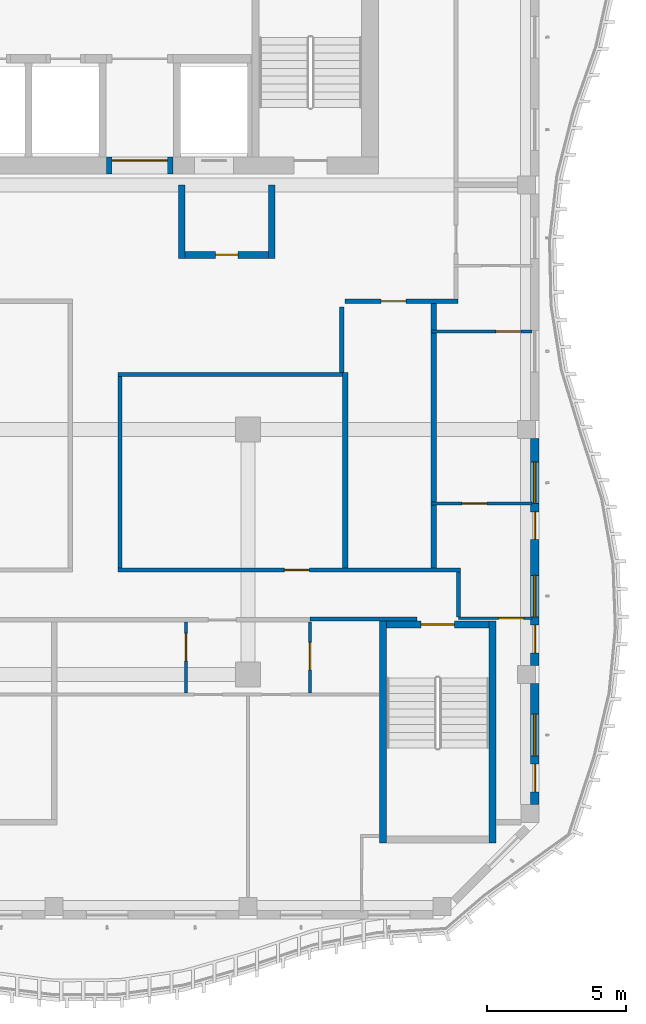
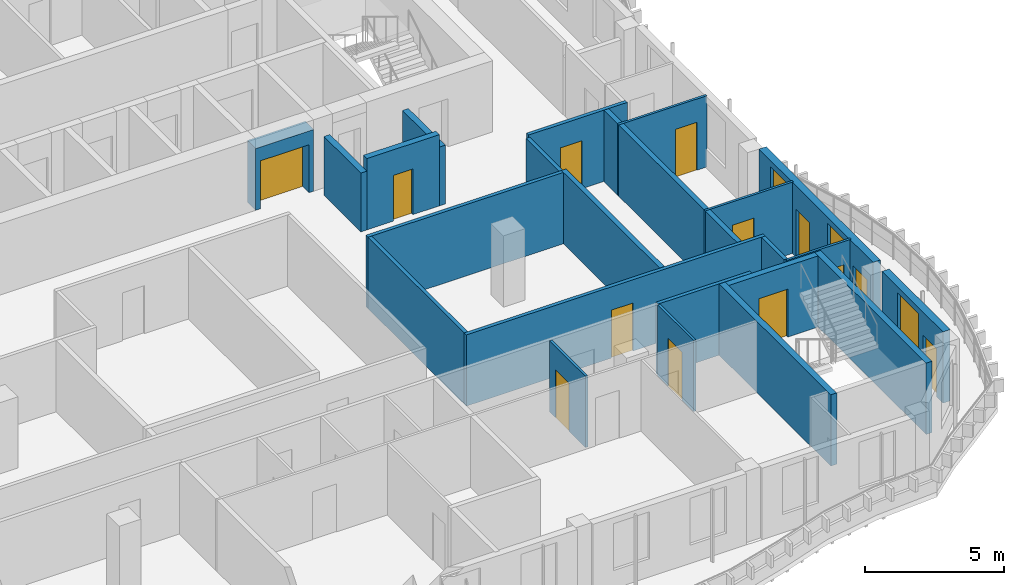
# One storey, part 5 of 17: 25 walls, 13 doors, 3 windows, 16 openings.
"""IFC4 building model written with IfcOpenShell, lengths in metres."""

from ifc_helpers import new_model, si_unit, direction, frame, frame_2d, origin, place, context, subcontext, project, spatial, rectangle, extrude, source, transform, mapped, material, layer, layer_set, type_object, element, fill, save


model = new_model("IFC4")

# Units and contexts
model_context = context("Model", 3, precision=1e-05, world=origin(), true_north=direction((0.0, 1.0)))
body_context = subcontext(model_context, "Body", "Model", "MODEL_VIEW")
ifc_project = project(units=[si_unit("LENGTHUNIT", "METRE"), si_unit("AREAUNIT", "SQUARE_METRE"), si_unit("VOLUMEUNIT", "CUBIC_METRE"), si_unit("PLANEANGLEUNIT", "RADIAN"), si_unit("MASSUNIT", "GRAM", prefix="KILO")], contexts=[model_context])

# Site, building, storey
site_placement = place(None, origin())
site = spatial("IfcSite", under=ifc_project, at=site_placement, CompositionType="ELEMENT")
building_placement = place(site_placement, origin())
building = spatial("IfcBuilding", under=site, at=building_placement, Name="Kilnfold Tower and Market Hall", CompositionType="ELEMENT")
storey_placement = place(building_placement, frame((0.0, 0.0, 273.800048828125)))
storey = spatial("IfcBuildingStorey", under=building, at=storey_placement, Name="L67", CompositionType="ELEMENT", Elevation=273.800048828125)

# Walls
ifc_material_1 = material(Name="Gypsum board on steel studs", Category="steel")
ifc_layer_1 = layer(ifc_material_1, 0.14990234375)
ifc_layer_set_1 = layer_set([ifc_layer_1], Name="Gypsum board on steel studs")
wall_type_1 = type_object("IfcWallType", Name="WALL CORRIDOR 150", PredefinedType="PARTITIONING", material=ifc_layer_set_1)
wall_1_placement = place(storey_placement, frame((15.22998046875, -7.669921875, 0.0), z_axis=(0.0, 0.0, 1.0), x_axis=(1.0, 0.0, 0.0)))
element("IfcWall", 1, at=wall_1_placement, inside=storey, type_object=wall_type_1, Name="Partition LY41.16", PredefinedType="PARTITIONING", context=body_context, shape_type="SweptSolid", body=[
    extrude(rectangle(XDim=3.8701171875, YDim=0.14990234375, at=frame_2d((1.93505859375, 0.0))), origin(), (0.0, 0.0, 1.0), 3.119873046875),
])
wall_2_placement = place(storey_placement, frame((20.60009765625, -7.60009765625, 0.0), z_axis=(0.0, 0.0, 1.0), x_axis=(0.0, 1.0, 0.0)))
element("IfcWall", 2, at=wall_2_placement, inside=storey, type_object=wall_type_1, Name="Partition LY41.17", PredefinedType="PARTITIONING", context=body_context, shape_type="SweptSolid", body=[
    extrude(rectangle(XDim=1.625, YDim=0.14990234375, at=frame_2d((0.8125, 0.0))), origin(), (0.0, 0.0, 1.0), 3.119873046875),
])
wall_3_placement = place(storey_placement, frame((16.3798828125, 1.22509765625, 0.0), z_axis=(0.0, 0.0, 1.0), x_axis=(0.0, 1.0, 0.0)))
element("IfcWall", 3, at=wall_3_placement, inside=storey, type_object=wall_type_1, Name="Partition LY41.32", PredefinedType="PARTITIONING", context=body_context, shape_type="SweptSolid", body=[
    extrude(rectangle(XDim=2.367919921875, YDim=0.14990234375, at=frame_2d((1.18408203125, 0.0))), origin(), (0.0, 0.0, 1.0), 3.119873046875),
])
wall_4_placement = place(storey_placement, frame((8.304931640625, 1.14990234375, 0.0), z_axis=(0.0, 0.0, 1.0), x_axis=(1.0, 0.0, 0.0)))
element("IfcWall", 4, at=wall_4_placement, inside=storey, type_object=wall_type_1, Name="Partition LY41.33", PredefinedType="PARTITIONING", context=body_context, shape_type="SweptSolid", body=[
    extrude(rectangle(XDim=8.094970703125, YDim=0.14990234375, at=frame_2d((4.04736328125, 0.0))), origin(), (0.0, 0.0, 1.0), 3.119873046875),
])
wall_5_placement = place(storey_placement, frame((8.3798828125, -5.824951171875, 0.0), z_axis=(0.0, 0.0, 1.0), x_axis=(0.0, 1.0, 0.0)))
element("IfcWall", 5, at=wall_5_placement, inside=storey, type_object=wall_type_1, Name="Partition LY41.34", PredefinedType="PARTITIONING", context=body_context, shape_type="SweptSolid", body=[
    extrude(rectangle(XDim=6.89990234375, YDim=0.14990234375, at=frame_2d((3.449951171875, 0.0))), origin(), (0.0, 0.0, 1.0), 3.119873046875),
])

# Wall, opening, door
wall_6_placement = place(storey_placement, frame((8.304931640625, -5.89990234375, 0.0), z_axis=(0.0, 0.0, 1.0), x_axis=(1.0, 0.0, 0.0)))
wall_6 = element("IfcWall", 6, at=wall_6_placement, inside=storey, type_object=wall_type_1, Name="Partition LY41.35", PredefinedType="PARTITIONING", context=body_context, shape_type="SweptSolid", body=[
    extrude(rectangle(XDim=12.3701171875, YDim=0.14990234375, at=frame_2d((6.18505859375, 0.0))), origin(), (0.0, 0.0, 1.0), 3.119873046875),
])
opening_1_placement = place(wall_6_placement, frame((6.00390625, 0.0, 0.0)))
opening_1 = element("IfcOpeningElement", 7, at=opening_1_placement, cuts=wall_6, Name="Opening D2", PredefinedType="OPENING", context=body_context, shape_type="SweptSolid", body=[
    extrude(rectangle(XDim=0.89990234375, YDim=2.10009765625, at=frame_2d((0.449951171875, 1.050048828125))), frame((0.0, 0.0849609375, 0.0), z_axis=(0.0, -1.0, 0.0), x_axis=(1.0, 0.0, 0.0)), (0.0, 0.0, 1.0), 0.169921875),
])
ifc_material_2 = material(Name="Timber veneer door leaf in steel frame", Category="steel")
door_type_1 = type_object("IfcDoorType", Name="DOOR ROOM 900 X2100", OperationType="NOTDEFINED", PredefinedType="DOOR", material=ifc_material_2)
door_1_placement = place(opening_1_placement, origin())
door_1 = element("IfcDoor", 8, at=door_1_placement, inside=storey, type_object=door_type_1, Name="Door D2", OperationType="SINGLE_SWING_RIGHT", OverallHeight=2.10009765625, OverallWidth=0.89990234375, PredefinedType="DOOR", context=body_context, shape_type="SweptSolid", body=[
    extrude(rectangle(XDim=0.89990234375, YDim=2.10009765625, at=frame_2d((0.449951171875, 1.050048828125))), frame((0.0, 0.02490234375, 0.0), z_axis=(0.0, -1.0, 0.0), x_axis=(1.0, 0.0, 0.0)), (0.0, 0.0, 1.0), 0.050048828125),
])
fill(opening_1, door_1)

wall_7_placement = place(storey_placement, frame((16.489990234375, 3.800048828125, 0.0), z_axis=(0.0, 0.0, 1.0), x_axis=(1.0, 0.0, 0.0)))
wall_7 = element("IfcWall", 9, at=wall_7_placement, inside=storey, type_object=wall_type_1, Name="Partition LY41.36", PredefinedType="PARTITIONING", context=body_context, shape_type="SweptSolid", body=[
    extrude(rectangle(XDim=4.0849609375, YDim=0.14990234375, at=frame_2d((2.04248046875, 0.0))), origin(), (0.0, 0.0, 1.0), 3.119873046875),
])
opening_2_placement = place(wall_7_placement, frame((1.31201171875, 0.0, 0.0)))
opening_2 = element("IfcOpeningElement", 10, at=opening_2_placement, cuts=wall_7, Name="Opening D2", PredefinedType="OPENING", context=body_context, shape_type="SweptSolid", body=[
    extrude(rectangle(XDim=0.89990234375, YDim=2.10009765625, at=frame_2d((0.449951171875, 1.050048828125))), frame((0.0, 0.0849609375, 0.0), z_axis=(0.0, -1.0, 0.0), x_axis=(1.0, 0.0, 0.0)), (0.0, 0.0, 1.0), 0.169921875),
])
door_2_placement = place(opening_2_placement, origin())
door_2 = element("IfcDoor", 11, at=door_2_placement, inside=storey, type_object=door_type_1, Name="Door D2", OperationType="SINGLE_SWING_RIGHT", OverallHeight=2.10009765625, OverallWidth=0.89990234375, PredefinedType="DOOR", context=body_context, shape_type="SweptSolid", body=[
    extrude(rectangle(XDim=0.89990234375, YDim=2.10009765625, at=frame_2d((0.449951171875, 1.050048828125))), frame((0.0, 0.02490234375, 0.0), z_axis=(0.0, -1.0, 0.0), x_axis=(1.0, 0.0, 0.0)), (0.0, 0.0, 1.0), 0.050048828125),
])
fill(opening_2, door_2)

ifc_material_3 = material(Name="Gypsum board on steel studs", Category="steel")
ifc_layer_2 = layer(ifc_material_3, 0.10009765625)
ifc_layer_set_2 = layer_set([ifc_layer_2], Name="Gypsum board on steel studs")
wall_type_2 = type_object("IfcWallType", Name="WALL PARTITION 100", PredefinedType="PARTITIONING", material=ifc_layer_set_2)
wall_8_placement = place(storey_placement, frame((10.760009765625, -10.35009765625, 0.0), z_axis=(0.0, 0.0, 1.0), x_axis=(0.0, 1.0, 0.0)))
wall_8 = element("IfcWall", 12, at=wall_8_placement, inside=storey, type_object=wall_type_2, Name="Partition LY41.66", PredefinedType="PARTITIONING", context=body_context, shape_type="SweptSolid", body=[
    extrude(rectangle(XDim=2.572998046875, YDim=0.10009765625, at=frame_2d((1.28662109375, 0.0))), origin(), (0.0, 0.0, 1.0), 3.119873046875),
])
opening_3_placement = place(wall_8_placement, frame((1.159912109375, 0.0, 0.0)))
opening_3 = element("IfcOpeningElement", 13, at=opening_3_placement, cuts=wall_8, Name="Opening D1", PredefinedType="OPENING", context=body_context, shape_type="SweptSolid", body=[
    extrude(rectangle(XDim=1.0, YDim=2.10009765625, at=frame_2d((0.5, 1.050048828125))), frame((0.0, 0.06005859375, 0.0), z_axis=(0.0, -1.0, 0.0), x_axis=(1.0, 0.0, 0.0)), (0.0, 0.0, 1.0), 0.1201171875),
])
ifc_material_4 = material(Name="Timber veneer door leaf in steel frame", Category="steel")
door_type_2 = type_object("IfcDoorType", Name="DOOR ENTRY 1000 X2100", OperationType="NOTDEFINED", PredefinedType="DOOR", material=ifc_material_4)
door_3_placement = place(opening_3_placement, origin())
door_3 = element("IfcDoor", 14, at=door_3_placement, inside=storey, type_object=door_type_2, Name="Door D1", OperationType="SINGLE_SWING_LEFT", OverallHeight=2.10009765625, OverallWidth=1.0, PredefinedType="DOOR", context=body_context, shape_type="SweptSolid", body=[
    extrude(rectangle(XDim=1.0, YDim=2.10009765625, at=frame_2d((0.5, 1.050048828125))), frame((0.0, 0.02490234375, 0.0), z_axis=(0.0, -1.0, 0.0), x_axis=(1.0, 0.0, 0.0)), (0.0, 0.0, 1.0), 0.050048828125),
])
fill(opening_3, door_3)

wall_9_placement = place(storey_placement, frame((15.239990234375, -10.35009765625, 0.0), z_axis=(0.0, 0.0, 1.0), x_axis=(0.0, 1.0, 0.0)))
wall_9 = element("IfcWall", 15, at=wall_9_placement, inside=storey, type_object=wall_type_2, Name="Partition LY41.67", PredefinedType="PARTITIONING", context=body_context, shape_type="SweptSolid", body=[
    extrude(rectangle(XDim=2.572998046875, YDim=0.10009765625, at=frame_2d((1.28662109375, 0.0))), origin(), (0.0, 0.0, 1.0), 3.119873046875),
])
opening_4_placement = place(wall_9_placement, frame((0.840087890625, 0.0, 0.0)))
opening_4 = element("IfcOpeningElement", 16, at=opening_4_placement, cuts=wall_9, Name="Opening D1", PredefinedType="OPENING", context=body_context, shape_type="SweptSolid", body=[
    extrude(rectangle(XDim=1.0, YDim=2.10009765625, at=frame_2d((0.5, 1.050048828125))), frame((0.0, 0.06005859375, 0.0), z_axis=(0.0, -1.0, 0.0), x_axis=(1.0, 0.0, 0.0)), (0.0, 0.0, 1.0), 0.1201171875),
])
door_4_placement = place(opening_4_placement, origin())
door_4 = element("IfcDoor", 17, at=door_4_placement, inside=storey, type_object=door_type_2, Name="Door D1", OperationType="SINGLE_SWING_LEFT", OverallHeight=2.10009765625, OverallWidth=1.0, PredefinedType="DOOR", context=body_context, shape_type="SweptSolid", body=[
    extrude(rectangle(XDim=1.0, YDim=2.10009765625, at=frame_2d((0.5, 1.050048828125))), frame((0.0, 0.02490234375, 0.0), z_axis=(0.0, -1.0, 0.0), x_axis=(1.0, 0.0, 0.0)), (0.0, 0.0, 1.0), 0.050048828125),
])
fill(opening_4, door_4)

wall_10_placement = place(storey_placement, frame((23.25, -7.639892578125, 0.0), z_axis=(0.0, 0.0, 1.0), x_axis=(-1.0, 0.0, 0.0)))
wall_10 = element("IfcWall", 18, at=wall_10_placement, inside=storey, type_object=wall_type_2, Name="Partition LY41.72", PredefinedType="PARTITIONING", context=body_context, shape_type="SweptSolid", body=[
    extrude(rectangle(XDim=2.64990234375, YDim=0.10009765625, at=frame_2d((1.324951171875, 0.0))), origin(), (0.0, 0.0, 1.0), 3.119873046875),
])
opening_5_placement = place(wall_10_placement, frame((0.303955078125, 0.0, 0.0)))
opening_5 = element("IfcOpeningElement", 19, at=opening_5_placement, cuts=wall_10, Name="Opening D2", PredefinedType="OPENING", context=body_context, shape_type="SweptSolid", body=[
    extrude(rectangle(XDim=0.89990234375, YDim=2.10009765625, at=frame_2d((0.449951171875, 1.050048828125))), frame((0.0, 0.06005859375, 0.0), z_axis=(0.0, -1.0, 0.0), x_axis=(1.0, 0.0, 0.0)), (0.0, 0.0, 1.0), 0.1201171875),
])
door_5_placement = place(opening_5_placement, origin())
door_5 = element("IfcDoor", 20, at=door_5_placement, inside=storey, type_object=door_type_1, Name="Door D2", OperationType="SINGLE_SWING_LEFT", OverallHeight=2.10009765625, OverallWidth=0.89990234375, PredefinedType="DOOR", context=body_context, shape_type="SweptSolid", body=[
    extrude(rectangle(XDim=0.89990234375, YDim=2.10009765625, at=frame_2d((0.449951171875, 1.050048828125))), frame((0.0, 0.02490234375, 0.0), z_axis=(0.0, -1.0, 0.0), x_axis=(1.0, 0.0, 0.0)), (0.0, 0.0, 1.0), 0.050048828125),
])
fill(opening_5, door_5)

wall_11_placement = place(storey_placement, frame((23.25, -3.5, 0.0), z_axis=(0.0, 0.0, 1.0), x_axis=(-1.0, 0.0, 0.0)))
wall_11 = element("IfcWall", 21, at=wall_11_placement, inside=storey, type_object=wall_type_2, Name="Partition LY41.73", PredefinedType="PARTITIONING", context=body_context, shape_type="SweptSolid", body=[
    extrude(rectangle(XDim=3.64990234375, YDim=0.10009765625, at=frame_2d((1.824951171875, 0.0))), origin(), (0.0, 0.0, 1.0), 3.119873046875),
])
opening_6_placement = place(wall_11_placement, frame((1.6298828125, 0.0, 0.0)))
opening_6 = element("IfcOpeningElement", 22, at=opening_6_placement, cuts=wall_11, Name="Opening D2", PredefinedType="OPENING", context=body_context, shape_type="SweptSolid", body=[
    extrude(rectangle(XDim=0.89990234375, YDim=2.10009765625, at=frame_2d((0.449951171875, 1.050048828125))), frame((0.0, 0.06005859375, 0.0), z_axis=(0.0, -1.0, 0.0), x_axis=(1.0, 0.0, 0.0)), (0.0, 0.0, 1.0), 0.1201171875),
])
door_6_placement = place(opening_6_placement, origin())
door_6 = element("IfcDoor", 23, at=door_6_placement, inside=storey, type_object=door_type_1, Name="Door D2", OperationType="SINGLE_SWING_RIGHT", OverallHeight=2.10009765625, OverallWidth=0.89990234375, PredefinedType="DOOR", context=body_context, shape_type="SweptSolid", body=[
    extrude(rectangle(XDim=0.89990234375, YDim=2.10009765625, at=frame_2d((0.449951171875, 1.050048828125))), frame((0.0, 0.02490234375, 0.0), z_axis=(0.0, -1.0, 0.0), x_axis=(1.0, 0.0, 0.0)), (0.0, 0.0, 1.0), 0.050048828125),
])
fill(opening_6, door_6)

wall_12_placement = place(storey_placement, frame((23.25, 2.7099609375, 0.0), z_axis=(0.0, 0.0, 1.0), x_axis=(-1.0, 0.0, 0.0)))
wall_12 = element("IfcWall", 24, at=wall_12_placement, inside=storey, type_object=wall_type_2, Name="Partition LY41.75", PredefinedType="PARTITIONING", context=body_context, shape_type="SweptSolid", body=[
    extrude(rectangle(XDim=3.64990234375, YDim=0.10009765625, at=frame_2d((1.824951171875, 0.0))), origin(), (0.0, 0.0, 1.0), 3.119873046875),
])
opening_7_placement = place(wall_12_placement, frame((0.404052734375, 0.0, 0.0)))
opening_7 = element("IfcOpeningElement", 25, at=opening_7_placement, cuts=wall_12, Name="Opening D2", PredefinedType="OPENING", context=body_context, shape_type="SweptSolid", body=[
    extrude(rectangle(XDim=0.89990234375, YDim=2.10009765625, at=frame_2d((0.449951171875, 1.050048828125))), frame((0.0, 0.06005859375, 0.0), z_axis=(0.0, -1.0, 0.0), x_axis=(1.0, 0.0, 0.0)), (0.0, 0.0, 1.0), 0.1201171875),
])
door_7_placement = place(opening_7_placement, origin())
door_7 = element("IfcDoor", 26, at=door_7_placement, inside=storey, type_object=door_type_1, Name="Door D2", OperationType="SINGLE_SWING_RIGHT", OverallHeight=2.10009765625, OverallWidth=0.89990234375, PredefinedType="DOOR", context=body_context, shape_type="SweptSolid", body=[
    extrude(rectangle(XDim=0.89990234375, YDim=2.10009765625, at=frame_2d((0.449951171875, 1.050048828125))), frame((0.0, 0.02490234375, 0.0), z_axis=(0.0, -1.0, 0.0), x_axis=(1.0, 0.0, 0.0)), (0.0, 0.0, 1.0), 0.050048828125),
])
fill(opening_7, door_7)

# Walls
ifc_material_5 = material(Name="Gypsum board on steel studs", Category="steel")
ifc_layer_3 = layer(ifc_material_5, 0.199951171875)
ifc_layer_set_3 = layer_set([ifc_layer_3], Name="Gypsum board on steel studs")
wall_type_3 = type_object("IfcWallType", Name="WALL PARTY 200", PredefinedType="PARTITIONING", material=ifc_layer_set_3)
wall_13_placement = place(storey_placement, frame((19.699951171875, -5.822998046875, 0.0), z_axis=(0.0, 0.0, 1.0), x_axis=(0.0, 1.0, 0.0)))
element("IfcWall", 27, at=wall_13_placement, inside=storey, type_object=wall_type_3, Name="Partition LY41.74", PredefinedType="PARTITIONING", context=body_context, shape_type="SweptSolid", body=[
    extrude(rectangle(XDim=2.27294921875, YDim=0.199951171875, at=frame_2d((1.136474609375, 0.0))), origin(), (0.0, 0.0, 1.0), 3.119873046875),
])
wall_14_placement = place(storey_placement, frame((19.699951171875, -3.449951171875, 0.0), z_axis=(0.0, 0.0, 1.0), x_axis=(0.0, 1.0, 0.0)))
element("IfcWall", 28, at=wall_14_placement, inside=storey, type_object=wall_type_3, Name="Partition LY41.76", PredefinedType="PARTITIONING", context=body_context, shape_type="SweptSolid", body=[
    extrude(rectangle(XDim=6.10986328125, YDim=0.199951171875, at=frame_2d((3.054931640625, 0.0))), origin(), (0.0, 0.0, 1.0), 3.119873046875),
])
wall_15_placement = place(storey_placement, frame((19.699951171875, 2.760009765625, 0.0), z_axis=(0.0, 0.0, 1.0), x_axis=(0.0, 1.0, 0.0)))
element("IfcWall", 29, at=wall_15_placement, inside=storey, type_object=wall_type_3, Name="Partition LY41.78", PredefinedType="PARTITIONING", context=body_context, shape_type="SweptSolid", body=[
    extrude(rectangle(XDim=0.962890625, YDim=0.199951171875, at=frame_2d((0.4814453125, 0.0))), origin(), (0.0, 0.0, 1.0), 3.119873046875),
])
wall_16_placement = place(storey_placement, frame((16.5, -5.822998046875, 0.0), z_axis=(0.0, 0.0, 1.0), x_axis=(0.0, 1.0, 0.0)))
element("IfcWall", 30, at=wall_16_placement, inside=storey, type_object=wall_type_3, Name="Partition LY41.99", PredefinedType="PARTITIONING", context=body_context, shape_type="SweptSolid", body=[
    extrude(rectangle(XDim=7.048095703125, YDim=0.199951171875, at=frame_2d((3.52392578125, 0.0))), origin(), (0.0, 0.0, 1.0), 3.119873046875),
])

# Wall, opening, door
ifc_material_6 = material(Name="Concrete C50", Category="concrete")
ifc_layer_4 = layer(ifc_material_6, 0.25)
ifc_layer_set_4 = layer_set([ifc_layer_4], Name="Concrete C50")
wall_type_4 = type_object("IfcWallType", Name="CORE WALL 250 C50", PredefinedType="SHEAR", material=ifc_layer_set_4)
shared_shape_1 = source(origin(), body_context, "Body", "SweptSolid", [
    extrude(rectangle(XDim=3.699951171875, YDim=0.25, at=frame_2d((1.85009765625, 0.0))), origin(), (0.0, 0.0, 1.0), 3.119873046875),
])
wall_17_placement = place(storey_placement, frame((18.0, -7.875, 0.0), z_axis=(0.0, 0.0, 1.0), x_axis=(1.0, 0.0, 0.0)))
wall_17 = element("IfcWall", 31, at=wall_17_placement, inside=storey, type_object=wall_type_4, Name="Stair enclosure ST4", PredefinedType="SHEAR", context=body_context, shape_type="MappedRepresentation", body=[
    mapped(shared_shape_1, transform((0.0, 0.0, 0.0))),
])
opening_8_placement = place(wall_17_placement, frame((1.25, 0.0, 0.0)))
opening_8 = element("IfcOpeningElement", 32, at=opening_8_placement, cuts=wall_17, Name="Opening SD1", PredefinedType="OPENING", context=body_context, shape_type="SweptSolid", body=[
    extrude(rectangle(XDim=1.199951171875, YDim=2.10009765625, at=frame_2d((0.60009765625, 1.050048828125))), frame((0.0, 0.135009765625, 0.0), z_axis=(0.0, -1.0, 0.0), x_axis=(1.0, 0.0, 0.0)), (0.0, 0.0, 1.0), 0.27001953125),
])
ifc_material_7 = material(Name="Steel door set with fire-resisting leaf", Category="steel")
door_type_3 = type_object("IfcDoorType", Name="STAIR FLOOR DOOR 1200X2100", OperationType="NOTDEFINED", PredefinedType="DOOR", material=ifc_material_7)
door_8_placement = place(opening_8_placement, origin())
door_8 = element("IfcDoor", 33, at=door_8_placement, inside=storey, type_object=door_type_3, Name="Exit stair ST4 door", OperationType="DOUBLE_DOOR_SINGLE_SWING", OverallHeight=2.10009765625, OverallWidth=1.199951171875, PredefinedType="DOOR", context=body_context, shape_type="SweptSolid", body=[
    extrude(rectangle(XDim=1.199951171875, YDim=2.10009765625, at=frame_2d((0.60009765625, 1.050048828125))), frame((0.0, 0.02490234375, 0.0), z_axis=(0.0, -1.0, 0.0), x_axis=(1.0, 0.0, 0.0)), (0.0, 0.0, 1.0), 0.050048828125),
])
fill(opening_8, door_8)

# Walls
shared_shape_2 = source(origin(), body_context, "Body", "SweptSolid", [
    extrude(rectangle(XDim=8.0, YDim=0.25, at=frame_2d((4.0, 0.0))), origin(), (0.0, 0.0, 1.0), 3.119873046875),
])
for number, where, z_axis, x_axis, name in (
    (34, (17.875, -15.75, 0.0), (0.0, 0.0, 1.0), (0.0, 1.0, 0.0), "Stair enclosure ST4"),
    (35, (21.824951171875, -15.75, 0.0), (0.0, 0.0, 1.0), (0.0, 1.0, 0.0), "Stair enclosure ST4"),
):
    element("IfcWall", number, at=place(storey_placement, frame(where, z_axis=z_axis, x_axis=x_axis)), inside=storey, type_object=wall_type_4, Name=name, PredefinedType="SHEAR", context=body_context, shape_type="MappedRepresentation", body=[
        mapped(shared_shape_2, transform((0.0, 0.0, 0.0))),
    ])

# Wall, openings, door, window
ifc_material_8 = material(Name="Precast concrete C50/60", Category="concrete")
ifc_layer_5 = layer(ifc_material_8, 0.300048828125)
ifc_layer_set_5 = layer_set([ifc_layer_5], Name="Precast concrete C50/60")
wall_type_5 = type_object("IfcWallType", Name="PRECAST WALL 300", PredefinedType="SOLIDWALL", material=ifc_layer_set_5)
shared_shape_3 = source(origin(), body_context, "Body", "SweptSolid", [
    extrude(rectangle(XDim=4.364990234375, YDim=0.300048828125, at=frame_2d((2.1826171875, 0.0))), origin(), (0.0, 0.0, 1.0), 3.119873046875),
])
wall_18_placement = place(storey_placement, frame((23.35009765625, -14.356689453125, 0.0), z_axis=(0.0, 0.0, 1.0), x_axis=(0.0, 1.0, 0.0)))
wall_18 = element("IfcWall", 36, at=wall_18_placement, inside=storey, type_object=wall_type_5, Name="External wall L67 E", PredefinedType="SOLIDWALL", context=body_context, shape_type="MappedRepresentation", body=[
    mapped(shared_shape_3, transform((0.0, 0.0, 0.0))),
])
opening_9_placement = place(wall_18_placement, frame((1.75, 0.0, 0.800048828125)))
opening_9 = element("IfcOpeningElement", 37, at=opening_9_placement, cuts=wall_18, Name="Opening W5", PredefinedType="OPENING", context=body_context, shape_type="SweptSolid", body=[
    extrude(rectangle(XDim=1.5, YDim=2.050048828125, at=frame_2d((0.75, 1.02490234375))), frame((0.0, 0.16015625, 0.0), z_axis=(0.0, -1.0, 0.0), x_axis=(1.0, 0.0, 0.0)), (0.0, 0.0, 1.0), 0.320068359375),
])
opening_10_placement = place(wall_18_placement, frame((0.449951171875, 0.0, 0.0)))
opening_10 = element("IfcOpeningElement", 38, at=opening_10_placement, cuts=wall_18, Name="Opening BD1", PredefinedType="OPENING", context=body_context, shape_type="SweptSolid", body=[
    extrude(rectangle(XDim=1.0, YDim=2.10009765625, at=frame_2d((0.5, 1.050048828125))), frame((0.0, 0.16015625, 0.0), z_axis=(0.0, -1.0, 0.0), x_axis=(1.0, 0.0, 0.0)), (0.0, 0.0, 1.0), 0.320068359375),
])
ifc_material_9 = material(Name="Aluminium frame and double glazing", Category="aluminium")
door_type_4 = type_object("IfcDoorType", Name="BALCONY DOOR 1000X2100", OperationType="NOTDEFINED", PredefinedType="DOOR", material=ifc_material_9)
door_9_placement = place(opening_10_placement, origin())
door_9 = element("IfcDoor", 39, at=door_9_placement, inside=storey, type_object=door_type_4, Name="Balcony door BD1 L67 E-1", OperationType="SINGLE_SWING_LEFT", OverallHeight=2.10009765625, OverallWidth=1.0, PredefinedType="DOOR", context=body_context, shape_type="SweptSolid", body=[
    extrude(rectangle(XDim=1.0, YDim=2.10009765625, at=frame_2d((0.5, 1.050048828125))), frame((0.0, 0.02490234375, 0.0), z_axis=(0.0, -1.0, 0.0), x_axis=(1.0, 0.0, 0.0)), (0.0, 0.0, 1.0), 0.050048828125),
])
fill(opening_10, door_9)
ifc_material_10 = material(Name="Aluminium frame and double glazing", Category="aluminium")
window_type = type_object("IfcWindowType", Name="WINDOW W5 1500X2050", PartitioningType="SINGLE_PANEL", PredefinedType="WINDOW", material=ifc_material_10)
window_1_placement = place(opening_9_placement, origin())
window_1 = element("IfcWindow", 40, at=window_1_placement, inside=storey, type_object=window_type, Name="Window W5 L67 E-1", OverallHeight=2.050048828125, OverallWidth=1.5, PartitioningType="SINGLE_PANEL", PredefinedType="WINDOW", context=body_context, shape_type="SweptSolid", body=[
    extrude(rectangle(XDim=1.5, YDim=2.050048828125, at=frame_2d((0.75, 1.02490234375))), frame((0.0, 0.030029296875, 0.0), z_axis=(0.0, -1.0, 0.0), x_axis=(1.0, 0.0, 0.0)), (0.0, 0.0, 1.0), 0.06005859375),
])
fill(opening_9, window_1)

# Wall, openings, doors, windows
shared_shape_4 = source(origin(), body_context, "Body", "SweptSolid", [
    extrude(rectangle(XDim=8.18359375, YDim=0.300048828125, at=frame_2d((4.091796875, 0.0))), origin(), (0.0, 0.0, 1.0), 3.119873046875),
])
wall_19_placement = place(storey_placement, frame((23.35009765625, -9.341796875, 0.0), z_axis=(0.0, 0.0, 1.0), x_axis=(0.0, 1.0, 0.0)))
wall_19 = element("IfcWall", 41, at=wall_19_placement, inside=storey, type_object=wall_type_5, Name="External wall L67 E", PredefinedType="SOLIDWALL", context=body_context, shape_type="MappedRepresentation", body=[
    mapped(shared_shape_4, transform((0.0, 0.0, 0.0))),
])
opening_11_placement = place(wall_19_placement, frame((1.75, 0.0, 0.800048828125)))
opening_11 = element("IfcOpeningElement", 42, at=opening_11_placement, cuts=wall_19, Name="Opening W5", PredefinedType="OPENING", context=body_context, shape_type="SweptSolid", body=[
    extrude(rectangle(XDim=1.5, YDim=2.050048828125, at=frame_2d((0.75, 1.02490234375))), frame((0.0, 0.16015625, 0.0), z_axis=(0.0, -1.0, 0.0), x_axis=(1.0, 0.0, 0.0)), (0.0, 0.0, 1.0), 0.320068359375),
])
opening_12_placement = place(wall_19_placement, frame((0.449951171875, 0.0, 0.0)))
opening_12 = element("IfcOpeningElement", 43, at=opening_12_placement, cuts=wall_19, Name="Opening BD1", PredefinedType="OPENING", context=body_context, shape_type="SweptSolid", body=[
    extrude(rectangle(XDim=1.0, YDim=2.10009765625, at=frame_2d((0.5, 1.050048828125))), frame((0.0, 0.16015625, 0.0), z_axis=(0.0, -1.0, 0.0), x_axis=(1.0, 0.0, 0.0)), (0.0, 0.0, 1.0), 0.320068359375),
])
opening_13_placement = place(wall_19_placement, frame((5.841796875, 0.0, 0.800048828125)))
opening_13 = element("IfcOpeningElement", 44, at=opening_13_placement, cuts=wall_19, Name="Opening W5", PredefinedType="OPENING", context=body_context, shape_type="SweptSolid", body=[
    extrude(rectangle(XDim=1.5, YDim=2.050048828125, at=frame_2d((0.75, 1.02490234375))), frame((0.0, 0.16015625, 0.0), z_axis=(0.0, -1.0, 0.0), x_axis=(1.0, 0.0, 0.0)), (0.0, 0.0, 1.0), 0.320068359375),
])
opening_14_placement = place(wall_19_placement, frame((4.541748046875, 0.0, 0.0)))
opening_14 = element("IfcOpeningElement", 45, at=opening_14_placement, cuts=wall_19, Name="Opening BD1", PredefinedType="OPENING", context=body_context, shape_type="SweptSolid", body=[
    extrude(rectangle(XDim=1.0, YDim=2.10009765625, at=frame_2d((0.5, 1.050048828125))), frame((0.0, 0.16015625, 0.0), z_axis=(0.0, -1.0, 0.0), x_axis=(1.0, 0.0, 0.0)), (0.0, 0.0, 1.0), 0.320068359375),
])
door_10_placement = place(opening_12_placement, origin())
door_10 = element("IfcDoor", 46, at=door_10_placement, inside=storey, type_object=door_type_4, Name="Balcony door BD1 L67 E-1", OperationType="SINGLE_SWING_LEFT", OverallHeight=2.10009765625, OverallWidth=1.0, PredefinedType="DOOR", context=body_context, shape_type="SweptSolid", body=[
    extrude(rectangle(XDim=1.0, YDim=2.10009765625, at=frame_2d((0.5, 1.050048828125))), frame((0.0, 0.02490234375, 0.0), z_axis=(0.0, -1.0, 0.0), x_axis=(1.0, 0.0, 0.0)), (0.0, 0.0, 1.0), 0.050048828125),
])
fill(opening_12, door_10)
door_11_placement = place(opening_14_placement, origin())
door_11 = element("IfcDoor", 47, at=door_11_placement, inside=storey, type_object=door_type_4, Name="Balcony door BD1 L67 E-2", OperationType="SINGLE_SWING_RIGHT", OverallHeight=2.10009765625, OverallWidth=1.0, PredefinedType="DOOR", context=body_context, shape_type="SweptSolid", body=[
    extrude(rectangle(XDim=1.0, YDim=2.10009765625, at=frame_2d((0.5, 1.050048828125))), frame((0.0, 0.02490234375, 0.0), z_axis=(0.0, -1.0, 0.0), x_axis=(1.0, 0.0, 0.0)), (0.0, 0.0, 1.0), 0.050048828125),
])
fill(opening_14, door_11)
window_2_placement = place(opening_11_placement, origin())
window_2 = element("IfcWindow", 48, at=window_2_placement, inside=storey, type_object=window_type, Name="Window W5 L67 E-1", OverallHeight=2.050048828125, OverallWidth=1.5, PartitioningType="SINGLE_PANEL", PredefinedType="WINDOW", context=body_context, shape_type="SweptSolid", body=[
    extrude(rectangle(XDim=1.5, YDim=2.050048828125, at=frame_2d((0.75, 1.02490234375))), frame((0.0, 0.030029296875, 0.0), z_axis=(0.0, -1.0, 0.0), x_axis=(1.0, 0.0, 0.0)), (0.0, 0.0, 1.0), 0.06005859375),
])
fill(opening_11, window_2)
window_3_placement = place(opening_13_placement, origin())
window_3 = element("IfcWindow", 49, at=window_3_placement, inside=storey, type_object=window_type, Name="Window W5 L67 E-2", OverallHeight=2.050048828125, OverallWidth=1.5, PartitioningType="SINGLE_PANEL", PredefinedType="WINDOW", context=body_context, shape_type="SweptSolid", body=[
    extrude(rectangle(XDim=1.5, YDim=2.050048828125, at=frame_2d((0.75, 1.02490234375))), frame((0.0, 0.030029296875, 0.0), z_axis=(0.0, -1.0, 0.0), x_axis=(1.0, 0.0, 0.0)), (0.0, 0.0, 1.0), 0.06005859375),
])
fill(opening_13, window_3)

# Wall, opening, door
ifc_material_11 = material(Name="Gypsum shaft wall system")
ifc_layer_6 = layer(ifc_material_11, 0.25)
ifc_layer_set_6 = layer_set([ifc_layer_6], Name="Gypsum shaft wall system")
wall_type_6 = type_object("IfcWallType", Name="LOBBY WALL 250", PredefinedType="PARTITIONING", material=ifc_layer_set_6)
shared_shape_5 = source(origin(), body_context, "Body", "SweptSolid", [
    extrude(rectangle(XDim=3.0, YDim=0.25, at=frame_2d((1.5, 0.0))), origin(), (0.0, 0.0, 1.0), 3.119873046875),
])
wall_20_placement = place(storey_placement, frame((10.72998046875, 5.47509765625, 0.0), z_axis=(0.0, 0.0, 1.0), x_axis=(1.0, 0.0, 0.0)))
wall_20 = element("IfcWall", 50, at=wall_20_placement, inside=storey, type_object=wall_type_6, Name="Firefighting lobby wall", PredefinedType="PARTITIONING", context=body_context, shape_type="MappedRepresentation", body=[
    mapped(shared_shape_5, transform((0.0, 0.0, 0.0))),
])
opening_15_placement = place(wall_20_placement, frame((1.10009765625, 0.0, 0.0)))
opening_15 = element("IfcOpeningElement", 51, at=opening_15_placement, cuts=wall_20, Name="Opening VD1", PredefinedType="OPENING", context=body_context, shape_type="SweptSolid", body=[
    extrude(rectangle(XDim=0.800048828125, YDim=2.0, at=frame_2d((0.39990234375, 1.0))), frame((0.0, 0.135009765625, 0.0), z_axis=(0.0, -1.0, 0.0), x_axis=(1.0, 0.0, 0.0)), (0.0, 0.0, 1.0), 0.27001953125),
])
ifc_material_12 = material(Name="Steel door set with fire-resisting leaf", Category="steel")
door_type_5 = type_object("IfcDoorType", Name="FIREFIGHTING LOBBY DOOR 800X2000", OperationType="NOTDEFINED", PredefinedType="DOOR", material=ifc_material_12)
door_12_placement = place(opening_15_placement, origin())
door_12 = element("IfcDoor", 52, at=door_12_placement, inside=storey, type_object=door_type_5, Name="Firefighting lobby door", OperationType="SINGLE_SWING_RIGHT", OverallHeight=2.0, OverallWidth=0.800048828125, PredefinedType="DOOR", context=body_context, shape_type="SweptSolid", body=[
    extrude(rectangle(XDim=0.800048828125, YDim=2.0, at=frame_2d((0.39990234375, 1.0))), frame((0.0, 0.02490234375, 0.0), z_axis=(0.0, -1.0, 0.0), x_axis=(1.0, 0.0, 0.0)), (0.0, 0.0, 1.0), 0.050048828125),
])
fill(opening_15, door_12)

# Walls
shared_shape_6 = source(origin(), body_context, "Body", "SweptSolid", [
    extrude(rectangle(XDim=2.64990234375, YDim=0.25, at=frame_2d((1.324951171875, 0.0))), origin(), (0.0, 0.0, 1.0), 2.570068359375),
])
for number, where, z_axis, x_axis, name in (
    (53, (10.60498046875, 5.35009765625, 0.0), (0.0, 0.0, 1.0), (0.0, 1.0, 0.0), "Firefighting lobby wall"),
    (54, (13.85498046875, 5.35009765625, 0.0), (0.0, 0.0, 1.0), (0.0, 1.0, 0.0), "Firefighting lobby wall"),
):
    element("IfcWall", number, at=place(storey_placement, frame(where, z_axis=z_axis, x_axis=x_axis)), inside=storey, type_object=wall_type_6, Name=name, PredefinedType="PARTITIONING", context=body_context, shape_type="MappedRepresentation", body=[
        mapped(shared_shape_6, transform((0.0, 0.0, 0.0))),
    ])

# Wall, opening, door
ifc_material_13 = material(Name="Gypsum shaft wall system")
ifc_layer_7 = layer(ifc_material_13, 0.60009765625)
ifc_layer_set_7 = layer_set([ifc_layer_7], Name="Gypsum shaft wall system")
wall_type_7 = type_object("IfcWallType", Name="LOBBY WALL 600", PredefinedType="PARTITIONING", material=ifc_layer_set_7)
shared_shape_7 = source(origin(), body_context, "Body", "SweptSolid", [
    extrude(rectangle(XDim=2.400146484375, YDim=0.60009765625, at=frame_2d((1.2001953125, 0.0))), origin(), (0.0, 0.0, 1.0), 2.699951171875),
])
wall_21_placement = place(storey_placement, frame((7.889892578125, 8.699951171875, 0.0), z_axis=(0.0, 0.0, 1.0), x_axis=(1.0, 0.0, 0.0)))
wall_21 = element("IfcWall", 55, at=wall_21_placement, inside=storey, type_object=wall_type_7, Name="Core wall infill", PredefinedType="PARTITIONING", context=body_context, shape_type="MappedRepresentation", body=[
    mapped(shared_shape_7, transform((0.0, 0.0, 0.0))),
])
opening_16_placement = place(wall_21_placement, frame((0.199951171875, 0.0, 0.0)))
opening_16 = element("IfcOpeningElement", 56, at=opening_16_placement, cuts=wall_21, Name="Opening VD2", PredefinedType="OPENING", context=body_context, shape_type="SweptSolid", body=[
    extrude(rectangle(XDim=2.0, YDim=2.10009765625, at=frame_2d((1.0, 1.050048828125))), frame((0.0, 0.31005859375, 0.0), z_axis=(0.0, -1.0, 0.0), x_axis=(1.0, 0.0, 0.0)), (0.0, 0.0, 1.0), 0.6201171875),
])
ifc_material_14 = material(Name="Steel door set with fire-resisting leaf", Category="steel")
door_type_6 = type_object("IfcDoorType", Name="LIFT LOBBY ENTRANCE DOOR 2000X2100", OperationType="NOTDEFINED", PredefinedType="DOOR", material=ifc_material_14)
door_13_placement = place(opening_16_placement, origin())
door_13 = element("IfcDoor", 57, at=door_13_placement, inside=storey, type_object=door_type_6, Name="Lift lobby entrance door", OperationType="DOUBLE_DOOR_SINGLE_SWING", OverallHeight=2.10009765625, OverallWidth=2.0, PredefinedType="DOOR", context=body_context, shape_type="SweptSolid", body=[
    extrude(rectangle(XDim=2.0, YDim=2.10009765625, at=frame_2d((1.0, 1.050048828125))), frame((0.0, 0.205078125, 0.0), z_axis=(0.0, -1.0, 0.0), x_axis=(1.0, 0.0, 0.0)), (0.0, 0.0, 1.0), 0.050048828125),
])
fill(opening_16, door_13)

save(model, "model.ifc")
